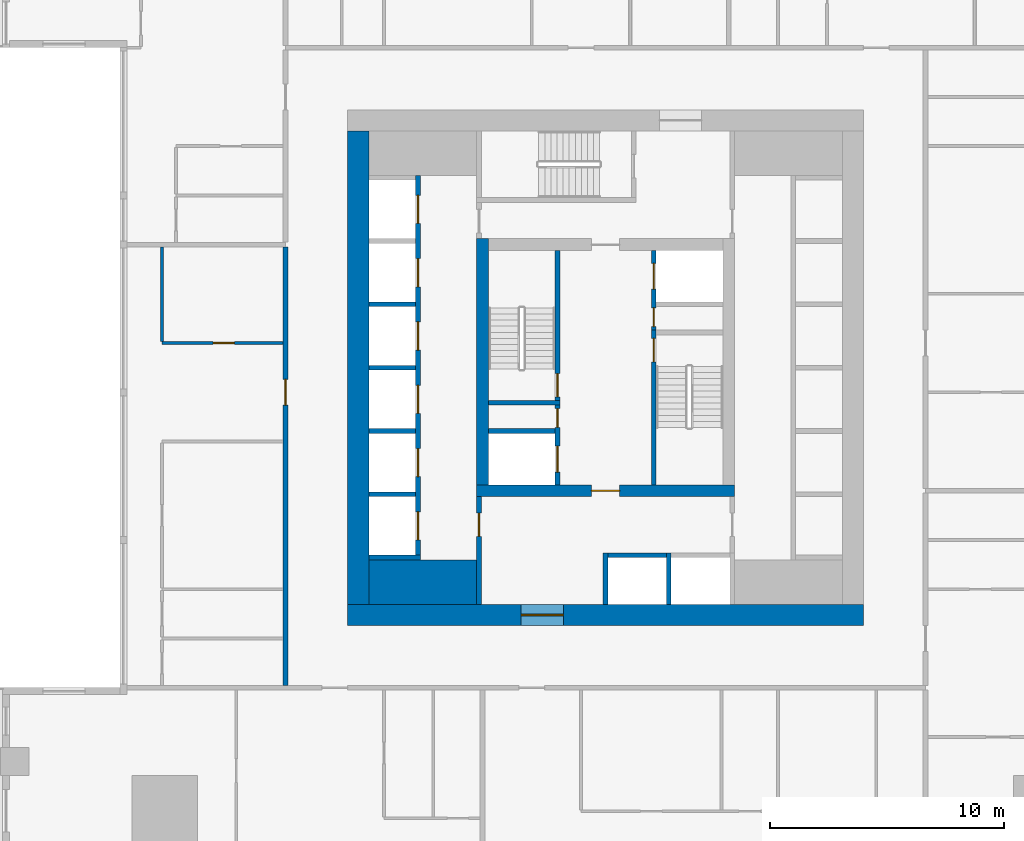
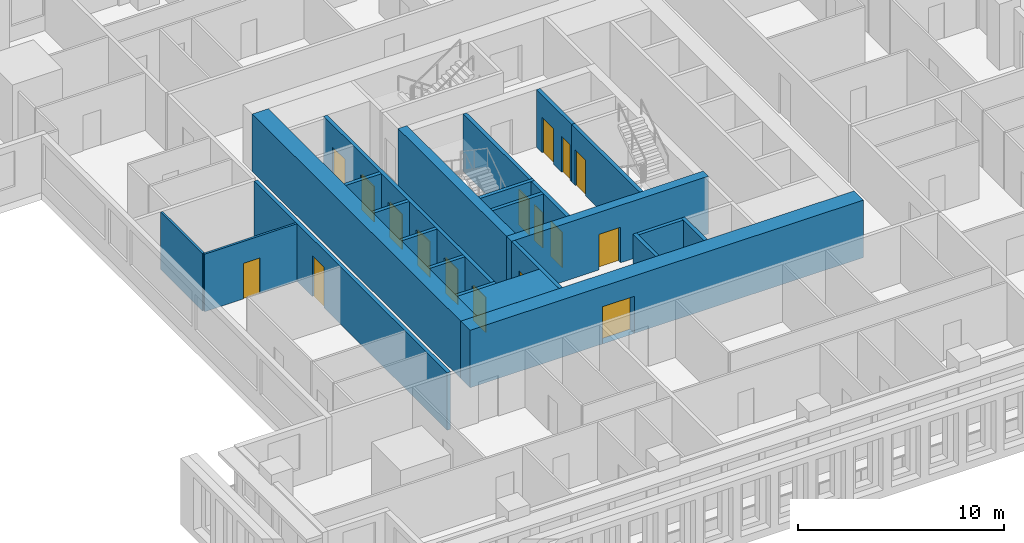
# One storey, part 3 of 14: 24 walls, 17 doors, 17 openings.
"""IFC4 building model written with IfcOpenShell, lengths in metres."""

from ifc_helpers import new_model, si_unit, direction, frame, frame_2d, origin, place, context, subcontext, project, spatial, rectangle, extrude, material, layer, layer_set, type_object, element, fill, save


model = new_model("IFC4")

# Units and contexts
model_context = context("Model", 3, precision=1e-05, world=origin(), true_north=direction((0.0, 1.0)))
body_context = subcontext(model_context, "Body", "Model", "MODEL_VIEW")
ifc_project = project(units=[si_unit("LENGTHUNIT", "METRE"), si_unit("AREAUNIT", "SQUARE_METRE"), si_unit("VOLUMEUNIT", "CUBIC_METRE"), si_unit("PLANEANGLEUNIT", "RADIAN"), si_unit("MASSUNIT", "GRAM", prefix="KILO")], contexts=[model_context])

# Site, building, storey
site_placement = place(None, origin())
site = spatial("IfcSite", under=ifc_project, at=site_placement, CompositionType="ELEMENT")
building_placement = place(site_placement, origin())
building = spatial("IfcBuilding", under=site, at=building_placement, Name="Khepri Terraces", CompositionType="ELEMENT")
storey_placement = place(building_placement, frame((0.0, 0.0, 122.10009765625)))
storey = spatial("IfcBuildingStorey", under=building, at=storey_placement, Name="L29", CompositionType="ELEMENT", Elevation=122.10009765625)

# Wall
ifc_material_1 = material(Name="Concrete C70/85", Category="concrete")
ifc_layer_1 = layer(ifc_material_1, 1.89990234375, Name="Concrete C70/85", Category="concrete")
ifc_layer_set_1 = layer_set([ifc_layer_1], Name="Concrete C70/85")
wall_type_1 = type_object("IfcWallType", Name="Core wall 1900 C70/85", PredefinedType="SHEAR", material=ifc_layer_set_1)
wall_1_placement = place(storey_placement, frame((-10.10009765625, -9.14990234375, 0.0), z_axis=(0.0, 0.0, 1.0), x_axis=(1.0, 0.0, 0.0)))
element("IfcWall", 1, at=wall_1_placement, inside=storey, type_object=wall_type_1, Name="Core wall PR01 L29", PredefinedType="SHEAR", context=body_context, shape_type="SweptSolid", body=[
    extrude(rectangle(XDim=4.60009765625, YDim=1.89990234375, at=frame_2d((2.300048828125, 0.0))), origin(), (0.0, 0.0, 1.0), 3.39990234375),
])

# Wall, opening, door
ifc_layer_2 = layer(ifc_material_1, 0.199951171875, Name="Concrete C70/85", Category="concrete")
ifc_layer_set_2 = layer_set([ifc_layer_2], Name="Concrete C70/85")
wall_type_2 = type_object("IfcWallType", Name="Core wall 200 C70/85", PredefinedType="SHEAR", material=ifc_layer_set_2)
wall_2_placement = place(storey_placement, frame((2.050048828125, -5.0, 0.0), z_axis=(0.0, 0.0, 1.0), x_axis=(0.0, 1.0, 0.0)))
wall_2 = element("IfcWall", 2, at=wall_2_placement, inside=storey, type_object=wall_type_2, Name="Core wall ST01 L29", PredefinedType="SHEAR", context=body_context, shape_type="SweptSolid", body=[
    extrude(rectangle(XDim=6.60009765625, YDim=0.199951171875, at=frame_2d((3.300048828125, 0.0))), origin(), (0.0, 0.0, 1.0), 3.39990234375),
])
opening_1_placement = place(wall_2_placement, frame((5.25, 0.0, 0.0)))
opening_1 = element("IfcOpeningElement", 3, at=opening_1_placement, cuts=wall_2, Name="Opening L29-C10", PredefinedType="OPENING", context=body_context, shape_type="SweptSolid", body=[
    extrude(rectangle(XDim=1.0, YDim=2.10009765625, at=frame_2d((0.5, 1.050048828125))), frame((0.0, 0.10986328125, 0.0), z_axis=(0.0, -1.0, 0.0), x_axis=(1.0, 0.0, 0.0)), (0.0, 0.0, 1.0), 0.219970703125),
])
ifc_material_2 = material(Name="Painted steel", Category="steel")
door_type_1 = type_object("IfcDoorType", Name="DR-CORE-STAIR-1000", OperationType="NOTDEFINED", PredefinedType="DOOR", material=ifc_material_2)
door_1_placement = place(opening_1_placement, frame((1.0, 0.0, 0.0), z_axis=(0.0, 0.0, 1.0), x_axis=(-1.0, 0.0, 0.0)))
door_1 = element("IfcDoor", 4, at=door_1_placement, inside=storey, type_object=door_type_1, Name="Stair door L29-C10", OperationType="SINGLE_SWING_LEFT", OverallHeight=2.10009765625, OverallWidth=1.0, PredefinedType="DOOR", context=body_context, shape_type="SweptSolid", body=[
    extrude(rectangle(XDim=1.0, YDim=2.10009765625, at=frame_2d((0.5, 1.050048828125))), frame((0.0, 0.02490234375, 0.0), z_axis=(0.0, -1.0, 0.0), x_axis=(1.0, 0.0, 0.0)), (0.0, 0.0, 1.0), 0.050048828125),
])
fill(opening_1, door_1)

# Wall
wall_3_placement = place(storey_placement, frame((-5.0, -1.5, 0.0), z_axis=(0.0, 0.0, 1.0), x_axis=(1.0, 0.0, 0.0)))
element("IfcWall", 5, at=wall_3_placement, inside=storey, type_object=wall_type_2, Name="Core wall ST02 L29", PredefinedType="SHEAR", context=body_context, shape_type="SweptSolid", body=[
    extrude(rectangle(XDim=3.050048828125, YDim=0.199951171875, at=frame_2d((1.52490234375, 0.0))), origin(), (0.0, 0.0, 1.0), 3.39990234375),
])

# Wall, opening, door
wall_4_placement = place(storey_placement, frame((-2.050048828125, -1.39990234375, 0.0), z_axis=(0.0, 0.0, 1.0), x_axis=(0.0, 1.0, 0.0)))
wall_4 = element("IfcWall", 6, at=wall_4_placement, inside=storey, type_object=wall_type_2, Name="Core wall ST03 L29", PredefinedType="SHEAR", context=body_context, shape_type="SweptSolid", body=[
    extrude(rectangle(XDim=6.39990234375, YDim=0.199951171875, at=frame_2d((3.199951171875, 0.0))), origin(), (0.0, 0.0, 1.0), 3.39990234375),
])
opening_2_placement = place(wall_4_placement, frame((0.14990234375, 0.0, 0.0)))
opening_2 = element("IfcOpeningElement", 7, at=opening_2_placement, cuts=wall_4, Name="Opening L29-C09", PredefinedType="OPENING", context=body_context, shape_type="SweptSolid", body=[
    extrude(rectangle(XDim=1.0, YDim=2.10009765625, at=frame_2d((0.5, 1.050048828125))), frame((0.0, 0.10986328125, 0.0), z_axis=(0.0, -1.0, 0.0), x_axis=(1.0, 0.0, 0.0)), (0.0, 0.0, 1.0), 0.219970703125),
])
door_2_placement = place(opening_2_placement, origin())
door_2 = element("IfcDoor", 8, at=door_2_placement, inside=storey, type_object=door_type_1, Name="Stair door L29-C09", OperationType="SINGLE_SWING_LEFT", OverallHeight=2.10009765625, OverallWidth=1.0, PredefinedType="DOOR", context=body_context, shape_type="SweptSolid", body=[
    extrude(rectangle(XDim=1.0, YDim=2.10009765625, at=frame_2d((0.5, 1.050048828125))), frame((0.0, 0.02490234375, 0.0), z_axis=(0.0, -1.0, 0.0), x_axis=(1.0, 0.0, 0.0)), (0.0, 0.0, 1.0), 0.050048828125),
])
fill(opening_2, door_2)

# Walls
for number, where, z_axis, x_axis, name in (
    (9, (0.0, -10.10009765625, 0.0), (0.0, 0.0, 1.0), (0.0, 1.0, 0.0), "Core wall SH01 L29"),
    (10, (2.699951171875, -10.10009765625, 0.0), (0.0, 0.0, 1.0), (0.0, 1.0, 0.0), "Core wall SH02 L29"),
    (11, (-10.10009765625, -8.10009765625, 0.0), (0.0, 0.0, 1.0), (1.0, 0.0, 0.0), "Core wall SH04 L29"),
):
    element("IfcWall", number, at=place(storey_placement, frame(where, z_axis=z_axis, x_axis=x_axis)), inside=storey, type_object=wall_type_2, Name=name, PredefinedType="SHEAR", context=body_context, shape_type="SweptSolid", body=[
        extrude(rectangle(XDim=2.2001953125, YDim=0.199951171875, at=frame_2d((1.10009765625, 0.0))), origin(), (0.0, 0.0, 1.0), 3.39990234375),
    ])
wall_5_placement = place(storey_placement, frame((0.10009765625, -8.0, 0.0), z_axis=(0.0, 0.0, 1.0), x_axis=(1.0, 0.0, 0.0)))
element("IfcWall", 12, at=wall_5_placement, inside=storey, type_object=wall_type_2, Name="Core wall SH07 L29", PredefinedType="SHEAR", context=body_context, shape_type="SweptSolid", body=[
    extrude(rectangle(XDim=2.5, YDim=0.199951171875, at=frame_2d((1.25, 0.0))), origin(), (0.0, 0.0, 1.0), 3.39990234375),
])

# Wall, openings, doors
wall_6_placement = place(storey_placement, frame((-8.0, -8.0, 0.0), z_axis=(0.0, 0.0, 1.0), x_axis=(0.0, 1.0, 0.0)))
wall_6 = element("IfcWall", 13, at=wall_6_placement, inside=storey, type_object=wall_type_2, Name="Core wall SH09 L29", PredefinedType="SHEAR", context=body_context, shape_type="SweptSolid", body=[
    extrude(rectangle(XDim=16.199951171875, YDim=0.199951171875, at=frame_2d((8.10009765625, 0.0))), origin(), (0.0, 0.0, 1.0), 3.39990234375),
])
opening_3_placement = place(wall_6_placement, frame((0.64990234375, 0.0, 0.0)))
opening_3 = element("IfcOpeningElement", 14, at=opening_3_placement, cuts=wall_6, Name="Opening L29-C01", PredefinedType="OPENING", context=body_context, shape_type="SweptSolid", body=[
    extrude(rectangle(XDim=1.199951171875, YDim=2.10009765625, at=frame_2d((0.60009765625, 1.050048828125))), frame((0.0, 0.10986328125, 0.0), z_axis=(0.0, -1.0, 0.0), x_axis=(1.0, 0.0, 0.0)), (0.0, 0.0, 1.0), 0.219970703125),
])
opening_4_placement = place(wall_6_placement, frame((3.35009765625, 0.0, 0.0)))
opening_4 = element("IfcOpeningElement", 15, at=opening_4_placement, cuts=wall_6, Name="Opening L29-C02", PredefinedType="OPENING", context=body_context, shape_type="SweptSolid", body=[
    extrude(rectangle(XDim=1.199951171875, YDim=2.10009765625, at=frame_2d((0.60009765625, 1.050048828125))), frame((0.0, 0.10986328125, 0.0), z_axis=(0.0, -1.0, 0.0), x_axis=(1.0, 0.0, 0.0)), (0.0, 0.0, 1.0), 0.219970703125),
])
opening_5_placement = place(wall_6_placement, frame((6.050048828125, 0.0, 0.0)))
opening_5 = element("IfcOpeningElement", 16, at=opening_5_placement, cuts=wall_6, Name="Opening L29-C03", PredefinedType="OPENING", context=body_context, shape_type="SweptSolid", body=[
    extrude(rectangle(XDim=1.199951171875, YDim=2.10009765625, at=frame_2d((0.60009765625, 1.050048828125))), frame((0.0, 0.10986328125, 0.0), z_axis=(0.0, -1.0, 0.0), x_axis=(1.0, 0.0, 0.0)), (0.0, 0.0, 1.0), 0.219970703125),
])
opening_6_placement = place(wall_6_placement, frame((8.75, 0.0, 0.0)))
opening_6 = element("IfcOpeningElement", 17, at=opening_6_placement, cuts=wall_6, Name="Opening L29-C04", PredefinedType="OPENING", context=body_context, shape_type="SweptSolid", body=[
    extrude(rectangle(XDim=1.199951171875, YDim=2.10009765625, at=frame_2d((0.60009765625, 1.050048828125))), frame((0.0, 0.10986328125, 0.0), z_axis=(0.0, -1.0, 0.0), x_axis=(1.0, 0.0, 0.0)), (0.0, 0.0, 1.0), 0.219970703125),
])
opening_7_placement = place(wall_6_placement, frame((11.449951171875, 0.0, 0.0)))
opening_7 = element("IfcOpeningElement", 18, at=opening_7_placement, cuts=wall_6, Name="Opening L29-C05", PredefinedType="OPENING", context=body_context, shape_type="SweptSolid", body=[
    extrude(rectangle(XDim=1.199951171875, YDim=2.10009765625, at=frame_2d((0.60009765625, 1.050048828125))), frame((0.0, 0.10986328125, 0.0), z_axis=(0.0, -1.0, 0.0), x_axis=(1.0, 0.0, 0.0)), (0.0, 0.0, 1.0), 0.219970703125),
])
opening_8_placement = place(wall_6_placement, frame((14.14990234375, 0.0, 0.0)))
opening_8 = element("IfcOpeningElement", 19, at=opening_8_placement, cuts=wall_6, Name="Opening L29-C06", PredefinedType="OPENING", context=body_context, shape_type="SweptSolid", body=[
    extrude(rectangle(XDim=1.199951171875, YDim=2.10009765625, at=frame_2d((0.60009765625, 1.050048828125))), frame((0.0, 0.10986328125, 0.0), z_axis=(0.0, -1.0, 0.0), x_axis=(1.0, 0.0, 0.0)), (0.0, 0.0, 1.0), 0.219970703125),
])
ifc_material_3 = material(Name="Stainless steel 304", Category="steel")
door_type_2 = type_object("IfcDoorType", Name="DR-CORE-LANDING-1200", OperationType="NOTDEFINED", PredefinedType="DOOR", material=ifc_material_3)
door_3_placement = place(opening_3_placement, origin())
door_3 = element("IfcDoor", 20, at=door_3_placement, inside=storey, type_object=door_type_2, Name="Lift landing door L29-C01", OperationType="SLIDING_TO_LEFT", OverallHeight=2.10009765625, OverallWidth=1.199951171875, PredefinedType="DOOR", context=body_context, shape_type="SweptSolid", body=[
    extrude(rectangle(XDim=1.199951171875, YDim=2.10009765625, at=frame_2d((0.60009765625, 1.050048828125))), frame((0.0, 0.02490234375, 0.0), z_axis=(0.0, -1.0, 0.0), x_axis=(1.0, 0.0, 0.0)), (0.0, 0.0, 1.0), 0.050048828125),
])
fill(opening_3, door_3)
door_4_placement = place(opening_4_placement, origin())
door_4 = element("IfcDoor", 21, at=door_4_placement, inside=storey, type_object=door_type_2, Name="Lift landing door L29-C02", OperationType="SLIDING_TO_LEFT", OverallHeight=2.10009765625, OverallWidth=1.199951171875, PredefinedType="DOOR", context=body_context, shape_type="SweptSolid", body=[
    extrude(rectangle(XDim=1.199951171875, YDim=2.10009765625, at=frame_2d((0.60009765625, 1.050048828125))), frame((0.0, 0.02490234375, 0.0), z_axis=(0.0, -1.0, 0.0), x_axis=(1.0, 0.0, 0.0)), (0.0, 0.0, 1.0), 0.050048828125),
])
fill(opening_4, door_4)
door_5_placement = place(opening_5_placement, origin())
door_5 = element("IfcDoor", 22, at=door_5_placement, inside=storey, type_object=door_type_2, Name="Lift landing door L29-C03", OperationType="SLIDING_TO_LEFT", OverallHeight=2.10009765625, OverallWidth=1.199951171875, PredefinedType="DOOR", context=body_context, shape_type="SweptSolid", body=[
    extrude(rectangle(XDim=1.199951171875, YDim=2.10009765625, at=frame_2d((0.60009765625, 1.050048828125))), frame((0.0, 0.02490234375, 0.0), z_axis=(0.0, -1.0, 0.0), x_axis=(1.0, 0.0, 0.0)), (0.0, 0.0, 1.0), 0.050048828125),
])
fill(opening_5, door_5)
door_6_placement = place(opening_6_placement, origin())
door_6 = element("IfcDoor", 23, at=door_6_placement, inside=storey, type_object=door_type_2, Name="Lift landing door L29-C04", OperationType="SLIDING_TO_LEFT", OverallHeight=2.10009765625, OverallWidth=1.199951171875, PredefinedType="DOOR", context=body_context, shape_type="SweptSolid", body=[
    extrude(rectangle(XDim=1.199951171875, YDim=2.10009765625, at=frame_2d((0.60009765625, 1.050048828125))), frame((0.0, 0.02490234375, 0.0), z_axis=(0.0, -1.0, 0.0), x_axis=(1.0, 0.0, 0.0)), (0.0, 0.0, 1.0), 0.050048828125),
])
fill(opening_6, door_6)
door_7_placement = place(opening_7_placement, origin())
door_7 = element("IfcDoor", 24, at=door_7_placement, inside=storey, type_object=door_type_2, Name="Lift landing door L29-C05", OperationType="SLIDING_TO_LEFT", OverallHeight=2.10009765625, OverallWidth=1.199951171875, PredefinedType="DOOR", context=body_context, shape_type="SweptSolid", body=[
    extrude(rectangle(XDim=1.199951171875, YDim=2.10009765625, at=frame_2d((0.60009765625, 1.050048828125))), frame((0.0, 0.02490234375, 0.0), z_axis=(0.0, -1.0, 0.0), x_axis=(1.0, 0.0, 0.0)), (0.0, 0.0, 1.0), 0.050048828125),
])
fill(opening_7, door_7)
door_8_placement = place(opening_8_placement, origin())
door_8 = element("IfcDoor", 25, at=door_8_placement, inside=storey, type_object=door_type_2, Name="Lift landing door L29-C06", OperationType="SLIDING_TO_LEFT", OverallHeight=2.10009765625, OverallWidth=1.199951171875, PredefinedType="DOOR", context=body_context, shape_type="SweptSolid", body=[
    extrude(rectangle(XDim=1.199951171875, YDim=2.10009765625, at=frame_2d((0.60009765625, 1.050048828125))), frame((0.0, 0.02490234375, 0.0), z_axis=(0.0, -1.0, 0.0), x_axis=(1.0, 0.0, 0.0)), (0.0, 0.0, 1.0), 0.050048828125),
])
fill(opening_8, door_8)

# Wall
wall_7_placement = place(storey_placement, frame((-10.10009765625, -5.39990234375, 0.0), z_axis=(0.0, 0.0, 1.0), x_axis=(1.0, 0.0, 0.0)))
element("IfcWall", 26, at=wall_7_placement, inside=storey, type_object=wall_type_2, Name="Core wall SH10 L29", PredefinedType="SHEAR", context=body_context, shape_type="SweptSolid", body=[
    extrude(rectangle(XDim=2.0, YDim=0.199951171875, at=frame_2d((1.0, 0.0))), origin(), (0.0, 0.0, 1.0), 3.39990234375),
])

# Wall, openings, doors
wall_8_placement = place(storey_placement, frame((-2.050048828125, -5.0, 0.0), z_axis=(0.0, 0.0, 1.0), x_axis=(0.0, 1.0, 0.0)))
wall_8 = element("IfcWall", 27, at=wall_8_placement, inside=storey, type_object=wall_type_2, Name="Core wall SH12 L29", PredefinedType="SHEAR", context=body_context, shape_type="SweptSolid", body=[
    extrude(rectangle(XDim=3.39990234375, YDim=0.199951171875, at=frame_2d((1.699951171875, 0.0))), origin(), (0.0, 0.0, 1.0), 3.39990234375),
])
opening_9_placement = place(wall_8_placement, frame((0.550048828125, 0.0, 0.0)))
opening_9 = element("IfcOpeningElement", 28, at=opening_9_placement, cuts=wall_8, Name="Opening L29-C08", PredefinedType="OPENING", context=body_context, shape_type="SweptSolid", body=[
    extrude(rectangle(XDim=1.10009765625, YDim=2.10009765625, at=frame_2d((0.550048828125, 1.050048828125))), frame((0.0, 0.10986328125, 0.0), z_axis=(0.0, -1.0, 0.0), x_axis=(1.0, 0.0, 0.0)), (0.0, 0.0, 1.0), 0.219970703125),
])
opening_10_placement = place(wall_8_placement, frame((2.449951171875, 0.0, 0.0)))
opening_10 = element("IfcOpeningElement", 29, at=opening_10_placement, cuts=wall_8, Name="Opening L29-C12", PredefinedType="OPENING", context=body_context, shape_type="SweptSolid", body=[
    extrude(rectangle(XDim=0.800048828125, YDim=2.10009765625, at=frame_2d((0.39990234375, 1.050048828125))), frame((0.0, 0.10986328125, 0.0), z_axis=(0.0, -1.0, 0.0), x_axis=(1.0, 0.0, 0.0)), (0.0, 0.0, 1.0), 0.219970703125),
])
door_type_3 = type_object("IfcDoorType", Name="DR-CORE-FF-LANDING-1100", OperationType="NOTDEFINED", PredefinedType="DOOR", material=ifc_material_3)
door_9_placement = place(opening_9_placement, origin())
door_9 = element("IfcDoor", 30, at=door_9_placement, inside=storey, type_object=door_type_3, Name="Firefighting lift landing door L29-C08", OperationType="SLIDING_TO_LEFT", OverallHeight=2.10009765625, OverallWidth=1.10009765625, PredefinedType="DOOR", context=body_context, shape_type="SweptSolid", body=[
    extrude(rectangle(XDim=1.10009765625, YDim=2.10009765625, at=frame_2d((0.550048828125, 1.050048828125))), frame((0.0, 0.02490234375, 0.0), z_axis=(0.0, -1.0, 0.0), x_axis=(1.0, 0.0, 0.0)), (0.0, 0.0, 1.0), 0.050048828125),
])
fill(opening_9, door_9)
door_type_4 = type_object("IfcDoorType", Name="DR-CORE-RISER-800", OperationType="NOTDEFINED", PredefinedType="DOOR", material=ifc_material_2)
door_10_placement = place(opening_10_placement, origin())
door_10 = element("IfcDoor", 31, at=door_10_placement, inside=storey, type_object=door_type_4, Name="Riser door L29-C12", OperationType="SINGLE_SWING_RIGHT", OverallHeight=2.10009765625, OverallWidth=0.800048828125, PredefinedType="DOOR", context=body_context, shape_type="SweptSolid", body=[
    extrude(rectangle(XDim=0.800048828125, YDim=2.10009765625, at=frame_2d((0.39990234375, 1.050048828125))), frame((0.0, 0.02490234375, 0.0), z_axis=(0.0, -1.0, 0.0), x_axis=(1.0, 0.0, 0.0)), (0.0, 0.0, 1.0), 0.050048828125),
])
fill(opening_10, door_10)

# Walls
wall_9_placement = place(storey_placement, frame((-10.10009765625, -2.699951171875, 0.0), z_axis=(0.0, 0.0, 1.0), x_axis=(1.0, 0.0, 0.0)))
element("IfcWall", 32, at=wall_9_placement, inside=storey, type_object=wall_type_2, Name="Core wall SH13 L29", PredefinedType="SHEAR", context=body_context, shape_type="SweptSolid", body=[
    extrude(rectangle(XDim=2.0, YDim=0.199951171875, at=frame_2d((1.0, 0.0))), origin(), (0.0, 0.0, 1.0), 3.39990234375),
])
wall_10_placement = place(storey_placement, frame((-5.0, -2.699951171875, 0.0), z_axis=(0.0, 0.0, 1.0), x_axis=(1.0, 0.0, 0.0)))
element("IfcWall", 33, at=wall_10_placement, inside=storey, type_object=wall_type_2, Name="Core wall SH14 L29", PredefinedType="SHEAR", context=body_context, shape_type="SweptSolid", body=[
    extrude(rectangle(XDim=2.85009765625, YDim=0.199951171875, at=frame_2d((1.425048828125, 0.0))), origin(), (0.0, 0.0, 1.0), 3.39990234375),
])
wall_11_placement = place(storey_placement, frame((-10.10009765625, 0.0, 0.0), z_axis=(0.0, 0.0, 1.0), x_axis=(1.0, 0.0, 0.0)))
element("IfcWall", 34, at=wall_11_placement, inside=storey, type_object=wall_type_2, Name="Core wall SH16 L29", PredefinedType="SHEAR", context=body_context, shape_type="SweptSolid", body=[
    extrude(rectangle(XDim=2.0, YDim=0.199951171875, at=frame_2d((1.0, 0.0))), origin(), (0.0, 0.0, 1.0), 3.39990234375),
])

# Wall, openings, doors
wall_12_placement = place(storey_placement, frame((2.050048828125, 1.60009765625, 0.0), z_axis=(0.0, 0.0, 1.0), x_axis=(0.0, 1.0, 0.0)))
wall_12 = element("IfcWall", 35, at=wall_12_placement, inside=storey, type_object=wall_type_2, Name="Core wall SH18 L29", PredefinedType="SHEAR", context=body_context, shape_type="SweptSolid", body=[
    extrude(rectangle(XDim=3.39990234375, YDim=0.199951171875, at=frame_2d((1.699951171875, 0.0))), origin(), (0.0, 0.0, 1.0), 3.39990234375),
])
opening_11_placement = place(wall_12_placement, frame((1.75, 0.0, 0.0)))
opening_11 = element("IfcOpeningElement", 36, at=opening_11_placement, cuts=wall_12, Name="Opening L29-C07", PredefinedType="OPENING", context=body_context, shape_type="SweptSolid", body=[
    extrude(rectangle(XDim=1.10009765625, YDim=2.10009765625, at=frame_2d((0.550048828125, 1.050048828125))), frame((0.0, 0.10986328125, 0.0), z_axis=(0.0, -1.0, 0.0), x_axis=(1.0, 0.0, 0.0)), (0.0, 0.0, 1.0), 0.219970703125),
])
opening_12_placement = place(wall_12_placement, frame((0.14990234375, 0.0, 0.0)))
opening_12 = element("IfcOpeningElement", 37, at=opening_12_placement, cuts=wall_12, Name="Opening L29-C11", PredefinedType="OPENING", context=body_context, shape_type="SweptSolid", body=[
    extrude(rectangle(XDim=0.800048828125, YDim=2.10009765625, at=frame_2d((0.39990234375, 1.050048828125))), frame((0.0, 0.10986328125, 0.0), z_axis=(0.0, -1.0, 0.0), x_axis=(1.0, 0.0, 0.0)), (0.0, 0.0, 1.0), 0.219970703125),
])
door_11_placement = place(opening_11_placement, origin())
door_11 = element("IfcDoor", 38, at=door_11_placement, inside=storey, type_object=door_type_3, Name="Firefighting lift landing door L29-C07", OperationType="SLIDING_TO_LEFT", OverallHeight=2.10009765625, OverallWidth=1.10009765625, PredefinedType="DOOR", context=body_context, shape_type="SweptSolid", body=[
    extrude(rectangle(XDim=1.10009765625, YDim=2.10009765625, at=frame_2d((0.550048828125, 1.050048828125))), frame((0.0, 0.02490234375, 0.0), z_axis=(0.0, -1.0, 0.0), x_axis=(1.0, 0.0, 0.0)), (0.0, 0.0, 1.0), 0.050048828125),
])
fill(opening_11, door_11)
door_12_placement = place(opening_12_placement, frame((0.800048828125, 0.0, 0.0), z_axis=(0.0, 0.0, 1.0), x_axis=(-1.0, 0.0, 0.0)))
door_12 = element("IfcDoor", 39, at=door_12_placement, inside=storey, type_object=door_type_4, Name="Riser door L29-C11", OperationType="SINGLE_SWING_RIGHT", OverallHeight=2.10009765625, OverallWidth=0.800048828125, PredefinedType="DOOR", context=body_context, shape_type="SweptSolid", body=[
    extrude(rectangle(XDim=0.800048828125, YDim=2.10009765625, at=frame_2d((0.39990234375, 1.050048828125))), frame((0.0, 0.02490234375, 0.0), z_axis=(0.0, -1.0, 0.0), x_axis=(1.0, 0.0, 0.0)), (0.0, 0.0, 1.0), 0.050048828125),
])
fill(opening_12, door_12)

# Wall
wall_13_placement = place(storey_placement, frame((-10.10009765625, 2.699951171875, 0.0), z_axis=(0.0, 0.0, 1.0), x_axis=(1.0, 0.0, 0.0)))
element("IfcWall", 40, at=wall_13_placement, inside=storey, type_object=wall_type_2, Name="Core wall SH19 L29", PredefinedType="SHEAR", context=body_context, shape_type="SweptSolid", body=[
    extrude(rectangle(XDim=2.0, YDim=0.199951171875, at=frame_2d((1.0, 0.0))), origin(), (0.0, 0.0, 1.0), 3.39990234375),
])

# Wall, opening, door
ifc_layer_3 = layer(ifc_material_1, 0.5, Name="Concrete C70/85", Category="concrete")
ifc_layer_set_3 = layer_set([ifc_layer_3], Name="Concrete C70/85")
wall_type_3 = type_object("IfcWallType", Name="Core wall 500 C70/85", PredefinedType="SHEAR", material=ifc_layer_set_3)
wall_14_placement = place(storey_placement, frame((-5.5, -5.25, 0.0), z_axis=(0.0, 0.0, 1.0), x_axis=(1.0, 0.0, 0.0)))
wall_14 = element("IfcWall", 41, at=wall_14_placement, inside=storey, type_object=wall_type_3, Name="Core wall BX01 L29", PredefinedType="SHEAR", context=body_context, shape_type="SweptSolid", body=[
    extrude(rectangle(XDim=11.0, YDim=0.5, at=frame_2d((5.5, 0.0))), origin(), (0.0, 0.0, 1.0), 3.39990234375),
])
opening_13_placement = place(wall_14_placement, frame((4.89990234375, 0.0, 0.0)))
opening_13 = element("IfcOpeningElement", 42, at=opening_13_placement, cuts=wall_14, Name="Opening L29-C14", PredefinedType="OPENING", context=body_context, shape_type="SweptSolid", body=[
    extrude(rectangle(XDim=1.199951171875, YDim=2.10009765625, at=frame_2d((0.60009765625, 1.050048828125))), frame((0.0, 0.260009765625, 0.0), z_axis=(0.0, -1.0, 0.0), x_axis=(1.0, 0.0, 0.0)), (0.0, 0.0, 1.0), 0.52001953125),
])
door_type_5 = type_object("IfcDoorType", Name="DR-CORE-FF-LOBBY-1200", OperationType="NOTDEFINED", PredefinedType="DOOR", material=ifc_material_2)
door_13_placement = place(opening_13_placement, origin())
door_13 = element("IfcDoor", 43, at=door_13_placement, inside=storey, type_object=door_type_5, Name="Firefighting lobby door L29-C14", OperationType="SINGLE_SWING_RIGHT", OverallHeight=2.10009765625, OverallWidth=1.199951171875, PredefinedType="DOOR", context=body_context, shape_type="SweptSolid", body=[
    extrude(rectangle(XDim=1.199951171875, YDim=2.10009765625, at=frame_2d((0.60009765625, 1.050048828125))), frame((0.0, 0.02490234375, 0.0), z_axis=(0.0, -1.0, 0.0), x_axis=(1.0, 0.0, 0.0)), (0.0, 0.0, 1.0), 0.050048828125),
])
fill(opening_13, door_13)

# Wall
wall_15_placement = place(storey_placement, frame((-5.25, -5.0, 0.0), z_axis=(0.0, 0.0, 1.0), x_axis=(0.0, 1.0, 0.0)))
element("IfcWall", 44, at=wall_15_placement, inside=storey, type_object=wall_type_3, Name="Core wall BX02 L29", PredefinedType="SHEAR", context=body_context, shape_type="SweptSolid", body=[
    extrude(rectangle(XDim=10.5, YDim=0.5, at=frame_2d((5.25, 0.0))), origin(), (0.0, 0.0, 1.0), 3.39990234375),
])

# Wall, opening, door
ifc_layer_4 = layer(ifc_material_1, 0.89990234375, Name="Concrete C70/85", Category="concrete")
ifc_layer_set_4 = layer_set([ifc_layer_4], Name="Concrete C70/85")
wall_type_4 = type_object("IfcWallType", Name="Core wall 900 C70/85", PredefinedType="SHEAR", material=ifc_layer_set_4)
wall_16_placement = place(storey_placement, frame((-11.0, -10.550048828125, 0.0), z_axis=(0.0, 0.0, 1.0), x_axis=(1.0, 0.0, 0.0)))
wall_16 = element("IfcWall", 45, at=wall_16_placement, inside=storey, type_object=wall_type_4, Name="Core wall OW-S L29", PredefinedType="SHEAR", context=body_context, shape_type="SweptSolid", body=[
    extrude(rectangle(XDim=22.0, YDim=0.89990234375, at=frame_2d((11.0, 0.0))), origin(), (0.0, 0.0, 1.0), 3.39990234375),
])
opening_14_placement = place(wall_16_placement, frame((7.39990234375, 0.0, 0.0)))
opening_14 = element("IfcOpeningElement", 46, at=opening_14_placement, cuts=wall_16, Name="Opening L29-C21", PredefinedType="OPENING", context=body_context, shape_type="SweptSolid", body=[
    extrude(rectangle(XDim=1.800048828125, YDim=2.199951171875, at=frame_2d((0.89990234375, 1.10009765625))), frame((0.0, 0.4599609375, 0.0), z_axis=(0.0, -1.0, 0.0), x_axis=(1.0, 0.0, 0.0)), (0.0, 0.0, 1.0), 0.919921875),
])
door_type_6 = type_object("IfcDoorType", Name="DR-CORE-ENTRANCE-1800", OperationType="NOTDEFINED", PredefinedType="DOOR", material=ifc_material_2)
door_14_placement = place(opening_14_placement, frame((1.800048828125, 0.0, 0.0), z_axis=(0.0, 0.0, 1.0), x_axis=(-1.0, 0.0, 0.0)))
door_14 = element("IfcDoor", 47, at=door_14_placement, inside=storey, type_object=door_type_6, Name="Core entrance door pair L29-C21", OperationType="DOUBLE_DOOR_SINGLE_SWING", OverallHeight=2.199951171875, OverallWidth=1.800048828125, PredefinedType="DOOR", context=body_context, shape_type="SweptSolid", body=[
    extrude(rectangle(XDim=1.800048828125, YDim=2.199951171875, at=frame_2d((0.89990234375, 1.10009765625))), frame((0.0, 0.02490234375, 0.0), z_axis=(0.0, -1.0, 0.0), x_axis=(1.0, 0.0, 0.0)), (0.0, 0.0, 1.0), 0.050048828125),
])
fill(opening_14, door_14)

# Wall
wall_17_placement = place(storey_placement, frame((-10.550048828125, -10.10009765625, 0.0), z_axis=(0.0, 0.0, 1.0), x_axis=(0.0, 1.0, 0.0)))
element("IfcWall", 48, at=wall_17_placement, inside=storey, type_object=wall_type_4, Name="Core wall OW-W L29", PredefinedType="SHEAR", context=body_context, shape_type="SweptSolid", body=[
    extrude(rectangle(XDim=20.2001953125, YDim=0.89990234375, at=frame_2d((10.10009765625, 0.0))), origin(), (0.0, 0.0, 1.0), 3.39990234375),
])

# Wall, opening, door
ifc_material_4 = material(Name="Fire-rated gypsum board partition")
ifc_layer_5 = layer(ifc_material_4, 0.199951171875, Name="Fire-rated gypsum board partition")
ifc_layer_set_5 = layer_set([ifc_layer_5], Name="Fire-rated gypsum board partition")
wall_type_5 = type_object("IfcWallType", Name="WL-CORE-PART-200", PredefinedType="PARTITIONING", material=ifc_layer_set_5)
wall_18_placement = place(storey_placement, frame((-5.39990234375, -10.10009765625, 0.0), z_axis=(0.0, 0.0, 1.0), x_axis=(0.0, 1.0, 0.0)))
wall_18 = element("IfcWall", 49, at=wall_18_placement, inside=storey, type_object=wall_type_5, Name="Core partition PT01 L29", PredefinedType="PARTITIONING", context=body_context, shape_type="SweptSolid", body=[
    extrude(rectangle(XDim=4.60009765625, YDim=0.199951171875, at=frame_2d((2.300048828125, 0.0))), origin(), (0.0, 0.0, 1.0), 3.39990234375),
])
opening_15_placement = place(wall_18_placement, frame((2.89990234375, 0.0, 0.0)))
opening_15 = element("IfcOpeningElement", 50, at=opening_15_placement, cuts=wall_18, Name="Opening L29-C18", PredefinedType="OPENING", context=body_context, shape_type="SweptSolid", body=[
    extrude(rectangle(XDim=1.0, YDim=2.10009765625, at=frame_2d((0.5, 1.050048828125))), frame((0.0, 0.10986328125, 0.0), z_axis=(0.0, -1.0, 0.0), x_axis=(1.0, 0.0, 0.0)), (0.0, 0.0, 1.0), 0.219970703125),
])
door_type_7 = type_object("IfcDoorType", Name="DR-CORE-LOBBY-1000", OperationType="NOTDEFINED", PredefinedType="DOOR", material=ifc_material_2)
door_15_placement = place(opening_15_placement, frame((1.0, 0.0, 0.0), z_axis=(0.0, 0.0, 1.0), x_axis=(-1.0, 0.0, 0.0)))
door_15 = element("IfcDoor", 51, at=door_15_placement, inside=storey, type_object=door_type_7, Name="Lobby door L29-C18", OperationType="SINGLE_SWING_LEFT", OverallHeight=2.10009765625, OverallWidth=1.0, PredefinedType="DOOR", context=body_context, shape_type="SweptSolid", body=[
    extrude(rectangle(XDim=1.0, YDim=2.10009765625, at=frame_2d((0.5, 1.050048828125))), frame((0.0, 0.02490234375, 0.0), z_axis=(0.0, -1.0, 0.0), x_axis=(1.0, 0.0, 0.0)), (0.0, 0.0, 1.0), 0.050048828125),
])
fill(opening_15, door_15)

ifc_material_5 = material(Name="Fire-rated gypsum plasterboard partition, mineral wool")
ifc_layer_6 = layer(ifc_material_5, 0.199951171875, Name="Fire-rated gypsum plasterboard partition, mineral wool")
ifc_layer_set_6 = layer_set([ifc_layer_6], Name="Fire-rated gypsum plasterboard partition, mineral wool")
wall_type_6 = type_object("IfcWallType", Name="WL-CORR-200", PredefinedType="PARTITIONING", material=ifc_layer_set_6)
wall_19_placement = place(storey_placement, frame((-13.64990234375, -13.550048828125, 0.0), z_axis=(0.0, 0.0, 1.0), x_axis=(0.0, 1.0, 0.0)))
wall_19 = element("IfcWall", 52, at=wall_19_placement, inside=storey, type_object=wall_type_6, Name="Partition P-028 L29", PredefinedType="PARTITIONING", context=body_context, shape_type="SweptSolid", body=[
    extrude(rectangle(XDim=18.699951171875, YDim=0.199951171875, at=frame_2d((9.35009765625, 0.0))), origin(), (0.0, 0.0, 1.0), 3.39990234375),
])
opening_16_placement = place(wall_19_placement, frame((11.949951171875, 0.0, 0.0)))
opening_16 = element("IfcOpeningElement", 53, at=opening_16_placement, cuts=wall_19, Name="Opening D1", PredefinedType="OPENING", context=body_context, shape_type="SweptSolid", body=[
    extrude(rectangle(XDim=1.10009765625, YDim=2.39990234375, at=frame_2d((0.550048828125, 1.199951171875))), frame((0.0, 0.10986328125, 0.0), z_axis=(0.0, -1.0, 0.0), x_axis=(1.0, 0.0, 0.0)), (0.0, 0.0, 1.0), 0.219970703125),
])
ifc_material_6 = material(Name="Solid-core timber door leaf, flat entrance door", Category="wood")
door_type_8 = type_object("IfcDoorType", Name="DR-ENT-1100", OperationType="NOTDEFINED", PredefinedType="DOOR", material=ifc_material_6)
door_16_placement = place(opening_16_placement, origin())
door_16 = element("IfcDoor", 54, at=door_16_placement, inside=storey, type_object=door_type_8, Name="Flat D2 entrance door", OperationType="SINGLE_SWING_RIGHT", OverallHeight=2.39990234375, OverallWidth=1.10009765625, PredefinedType="DOOR", context=body_context, shape_type="SweptSolid", body=[
    extrude(rectangle(XDim=1.10009765625, YDim=2.39990234375, at=frame_2d((0.550048828125, 1.199951171875))), frame((0.0, 0.02490234375, 0.0), z_axis=(0.0, -1.0, 0.0), x_axis=(1.0, 0.0, 0.0)), (0.0, 0.0, 1.0), 0.050048828125),
])
fill(opening_16, door_16)

ifc_material_7 = material(Name="Gypsum plasterboard partition")
ifc_layer_7 = layer(ifc_material_7, 0.1201171875, Name="Gypsum plasterboard partition")
ifc_layer_set_7 = layer_set([ifc_layer_7], Name="Gypsum plasterboard partition")
wall_type_7 = type_object("IfcWallType", Name="WL-PART-120", PredefinedType="PARTITIONING", material=ifc_layer_set_7)
wall_20_placement = place(storey_placement, frame((-18.919921875, 1.050048828125, 0.0), z_axis=(0.0, 0.0, 1.0), x_axis=(1.0, 0.0, 0.0)))
wall_20 = element("IfcWall", 55, at=wall_20_placement, inside=storey, type_object=wall_type_7, Name="Partition P-048 L29", PredefinedType="PARTITIONING", context=body_context, shape_type="SweptSolid", body=[
    extrude(rectangle(XDim=5.169921875, YDim=0.1201171875, at=frame_2d((2.5849609375, 0.0))), origin(), (0.0, 0.0, 1.0), 3.39990234375),
])
opening_17_placement = place(wall_20_placement, frame((2.18505859375, 0.0, 0.0)))
opening_17 = element("IfcOpeningElement", 56, at=opening_17_placement, cuts=wall_20, Name="Opening D3", PredefinedType="OPENING", context=body_context, shape_type="SweptSolid", body=[
    extrude(rectangle(XDim=0.89990234375, YDim=2.10009765625, at=frame_2d((0.449951171875, 1.050048828125))), frame((0.0, 0.070068359375, 0.0), z_axis=(0.0, -1.0, 0.0), x_axis=(1.0, 0.0, 0.0)), (0.0, 0.0, 1.0), 0.14013671875),
])
ifc_material_8 = material(Name="Timber door leaf", Category="wood")
door_type_9 = type_object("IfcDoorType", Name="DR-INT-900", OperationType="NOTDEFINED", PredefinedType="DOOR", material=ifc_material_8)
door_17_placement = place(opening_17_placement, origin())
door_17 = element("IfcDoor", 57, at=door_17_placement, inside=storey, type_object=door_type_9, Name="Door Staff Bedroom", OperationType="SINGLE_SWING_RIGHT", OverallHeight=2.10009765625, OverallWidth=0.89990234375, PredefinedType="DOOR", context=body_context, shape_type="SweptSolid", body=[
    extrude(rectangle(XDim=0.89990234375, YDim=2.10009765625, at=frame_2d((0.449951171875, 1.050048828125))), frame((0.0, 0.02490234375, 0.0), z_axis=(0.0, -1.0, 0.0), x_axis=(1.0, 0.0, 0.0)), (0.0, 0.0, 1.0), 0.050048828125),
])
fill(opening_17, door_17)

# Wall
wall_21_placement = place(storey_placement, frame((-18.919921875, 1.110107421875, 0.0), z_axis=(0.0, 0.0, 1.0), x_axis=(0.0, 1.0, 0.0)))
element("IfcWall", 58, at=wall_21_placement, inside=storey, type_object=wall_type_7, Name="Partition P-049 L29", PredefinedType="PARTITIONING", context=body_context, shape_type="SweptSolid", body=[
    extrude(rectangle(XDim=4.039794921875, YDim=0.1201171875, at=frame_2d((2.02001953125, 0.0))), origin(), (0.0, 0.0, 1.0), 3.39990234375),
])

save(model, "model.ifc")
